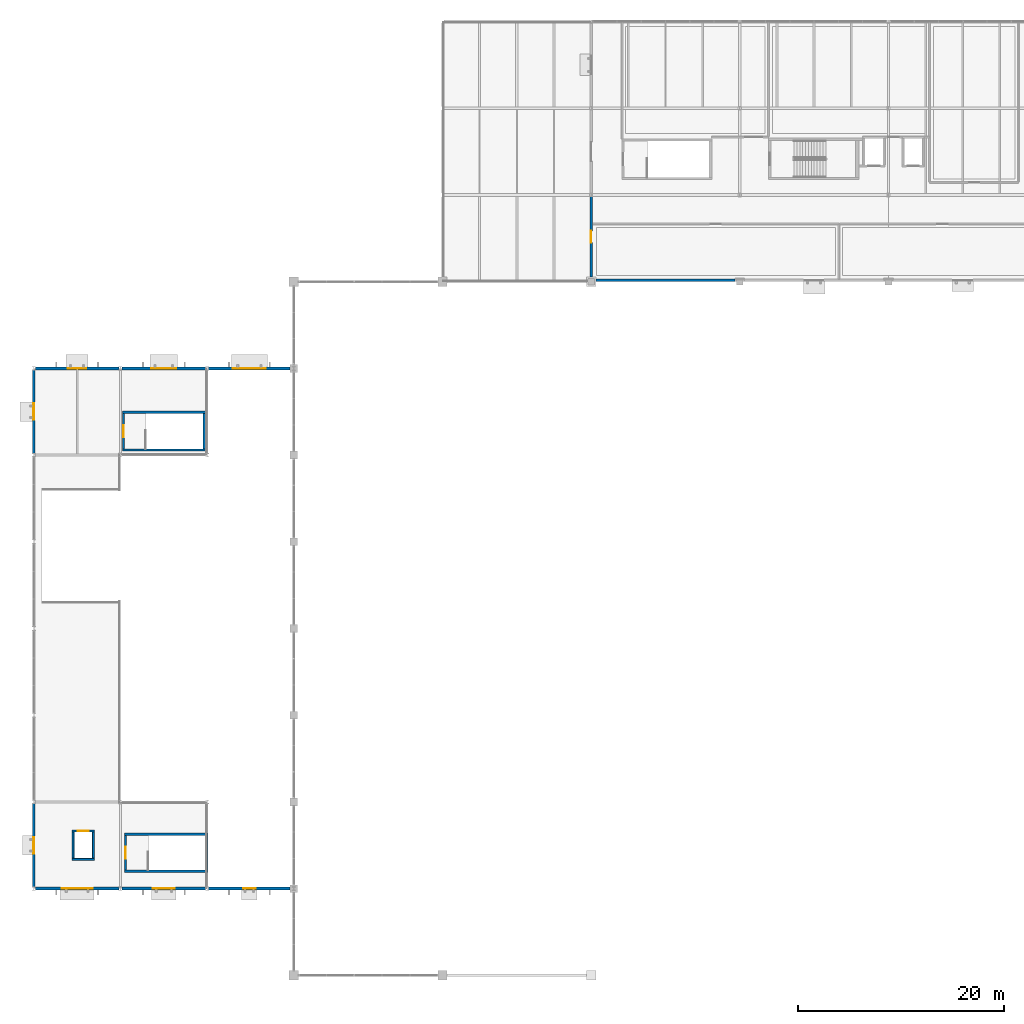
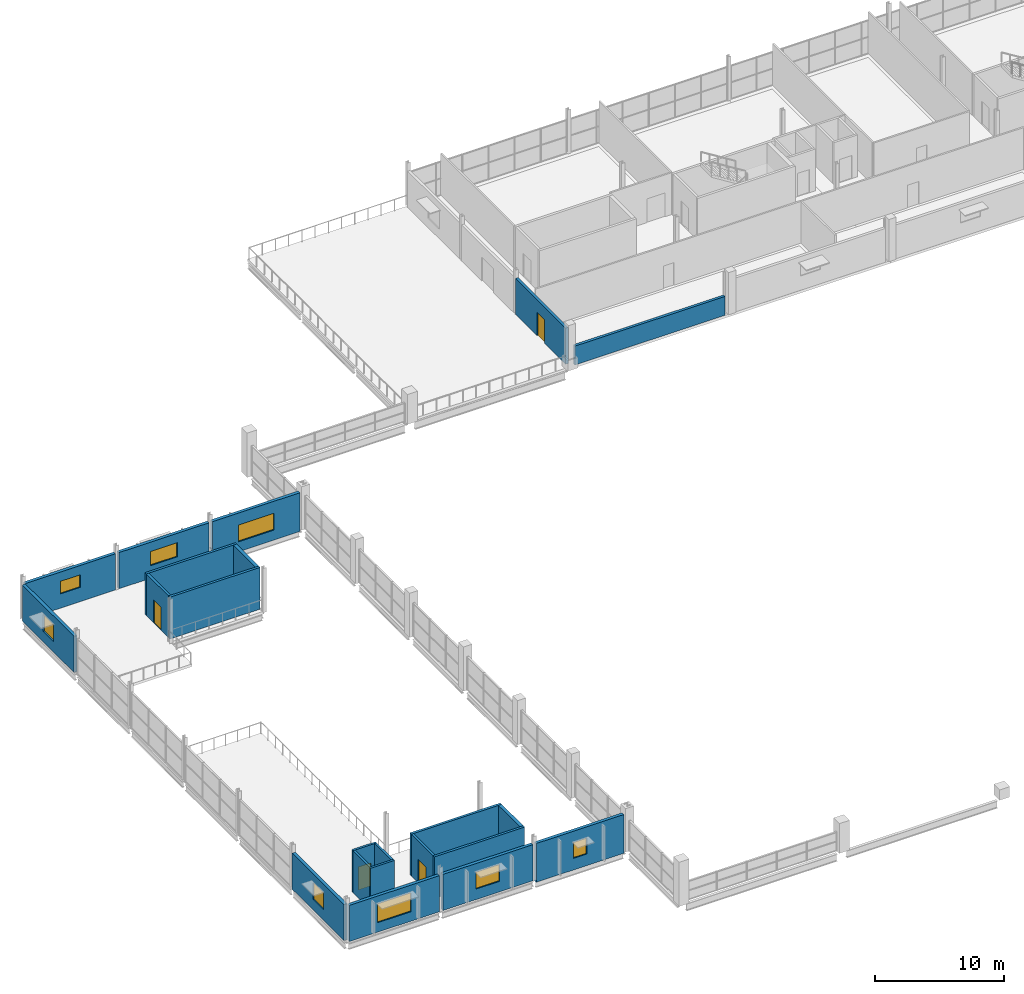
# One storey, part 57 of 68: 22 walls, 8 windows, 4 doors, 12 openings.
"""IFC4 building model written with IfcOpenShell, lengths in metres."""

from ifc_helpers import new_model, si_unit, direction, frame, frame_2d, origin, place, context, subcontext, project, spatial, rectangle, extrude, material, layer, layer_set, type_object, element, fill, save


model = new_model("IFC4")

# Units and contexts
model_context = context("Model", 3, precision=1e-05, world=origin(), true_north=direction((0.0, 1.0)))
body_context = subcontext(model_context, "Body", "Model", "MODEL_VIEW")
ifc_project = project(units=[si_unit("LENGTHUNIT", "METRE"), si_unit("AREAUNIT", "SQUARE_METRE"), si_unit("VOLUMEUNIT", "CUBIC_METRE"), si_unit("PLANEANGLEUNIT", "RADIAN"), si_unit("MASSUNIT", "GRAM", prefix="KILO"), si_unit("THERMODYNAMICTEMPERATUREUNIT", "KELVIN")], contexts=[model_context])

# Site, building, storey
site_placement = place(None, origin())
site = spatial("IfcSite", under=ifc_project, at=site_placement, CompositionType="ELEMENT")
building_placement = place(site_placement, origin())
building = spatial("IfcBuilding", under=site, at=building_placement, Name="Nduvali Passage Aquatics Centre", CompositionType="ELEMENT")
storey_placement = place(building_placement, frame((0.0, 0.0, 13.199951171875)))
storey = spatial("IfcBuildingStorey", under=building, at=storey_placement, Name="L03", CompositionType="ELEMENT", Elevation=13.199951171875)

# Wall, opening, window
ifc_material_1 = material(Name="Coral-stone masonry blockwork", Category="masonry")
ifc_layer_1 = layer(ifc_material_1, 0.280029296875, Name="Coral-stone masonry blockwork")
ifc_layer_set_1 = layer_set([ifc_layer_1], Name="Coral-stone masonry blockwork")
wall_type_1 = type_object("IfcWallType", Name="ENV-WAL-CORAL280", PredefinedType="STANDARD", material=ifc_layer_set_1)
wall_1_placement = place(storey_placement, frame((0.14990234375, 33.60009765625, 0.0), z_axis=(0.0, 0.0, 1.0), x_axis=(1.0, 0.0, 0.0)))
wall_1 = element("IfcWall", 1, at=wall_1_placement, inside=storey, type_object=wall_type_1, Name="L03 Diving South Facade 0033", PredefinedType="STANDARD", context=body_context, shape_type="SweptSolid", body=[
    extrude(rectangle(XDim=8.10009765625, YDim=0.280029296875, at=frame_2d((4.050048828125, 0.0))), origin(), (0.0, 0.0, 1.0), 3.43310546875),
])
opening_1_placement = place(wall_1_placement, frame((2.550048828125, 0.0, 0.89990234375)))
opening_1 = element("IfcOpeningElement", 2, at=opening_1_placement, cuts=wall_1, Name="Opening W4", PredefinedType="OPENING", context=body_context, shape_type="SweptSolid", body=[
    extrude(rectangle(XDim=3.0, YDim=1.800048828125, at=frame_2d((1.5, 0.89990234375))), frame((0.0, 0.15478515625, 0.0), z_axis=(0.0, -1.0, 0.0), x_axis=(1.0, 0.0, 0.0)), (0.0, 0.0, 1.0), 0.309814453125),
])
ifc_material_2 = material(Name="Aluminium-framed solar-control low-E IGU", Category="aluminium")
window_type_1 = type_object("IfcWindowType", Name="ENV-WIN-W4", PartitioningType="SINGLE_PANEL", PredefinedType="WINDOW", material=ifc_material_2)
window_1_placement = place(opening_1_placement, origin())
window_1 = element("IfcWindow", 3, at=window_1_placement, inside=storey, type_object=window_type_1, Name="L03 Exterior Window W4-0040", OverallHeight=1.800048828125, OverallWidth=3.0, PartitioningType="SINGLE_PANEL", PredefinedType="WINDOW", context=body_context, shape_type="SweptSolid", body=[
    extrude(rectangle(XDim=3.0, YDim=1.800048828125, at=frame_2d((1.5, 0.89990234375))), frame((0.0, 0.030029296875, 0.0), z_axis=(0.0, -1.0, 0.0), x_axis=(1.0, 0.0, 0.0)), (0.0, 0.0, 1.0), 0.06005859375),
])
fill(opening_1, window_1)

wall_2_placement = place(storey_placement, frame((8.25, 84.0, 0.0), z_axis=(0.0, 0.0, 1.0), x_axis=(-1.0, 0.0, 0.0)))
wall_2 = element("IfcWall", 4, at=wall_2_placement, inside=storey, type_object=wall_type_1, Name="L03 Diving North Facade 0034", PredefinedType="STANDARD", context=body_context, shape_type="SweptSolid", body=[
    extrude(rectangle(XDim=8.10009765625, YDim=0.280029296875, at=frame_2d((4.050048828125, 0.0))), origin(), (0.0, 0.0, 1.0), 3.43310546875),
])
opening_2_placement = place(wall_2_placement, frame((3.14990234375, 0.0, 1.35009765625)))
opening_2 = element("IfcOpeningElement", 5, at=opening_2_placement, cuts=wall_2, Name="Opening W8", PredefinedType="OPENING", context=body_context, shape_type="SweptSolid", body=[
    extrude(rectangle(XDim=1.800048828125, YDim=1.199951171875, at=frame_2d((0.89990234375, 0.60009765625))), frame((0.0, 0.15478515625, 0.0), z_axis=(0.0, -1.0, 0.0), x_axis=(1.0, 0.0, 0.0)), (0.0, 0.0, 1.0), 0.309814453125),
])
window_type_2 = type_object("IfcWindowType", Name="ENV-WIN-W8", PartitioningType="SINGLE_PANEL", PredefinedType="WINDOW", material=ifc_material_2)
window_2_placement = place(opening_2_placement, origin())
window_2 = element("IfcWindow", 6, at=window_2_placement, inside=storey, type_object=window_type_2, Name="L03 Exterior Window W8-0041", OverallHeight=1.199951171875, OverallWidth=1.800048828125, PartitioningType="SINGLE_PANEL", PredefinedType="WINDOW", context=body_context, shape_type="SweptSolid", body=[
    extrude(rectangle(XDim=1.800048828125, YDim=1.199951171875, at=frame_2d((0.89990234375, 0.60009765625))), frame((0.0, 0.030029296875, 0.0), z_axis=(0.0, -1.0, 0.0), x_axis=(1.0, 0.0, 0.0)), (0.0, 0.0, 1.0), 0.06005859375),
])
fill(opening_2, window_2)

wall_3_placement = place(storey_placement, frame((8.550048828125, 33.60009765625, 0.0), z_axis=(0.0, 0.0, 1.0), x_axis=(1.0, 0.0, 0.0)))
wall_3 = element("IfcWall", 7, at=wall_3_placement, inside=storey, type_object=wall_type_1, Name="L03 Diving South Facade 0035", PredefinedType="STANDARD", context=body_context, shape_type="SweptSolid", body=[
    extrude(rectangle(XDim=8.099853515625, YDim=0.280029296875, at=frame_2d((4.0498046875, 0.0))), origin(), (0.0, 0.0, 1.0), 3.43310546875),
])
opening_3_placement = place(wall_3_placement, frame((3.0, 0.0, 1.0)))
opening_3 = element("IfcOpeningElement", 8, at=opening_3_placement, cuts=wall_3, Name="Opening W5", PredefinedType="OPENING", context=body_context, shape_type="SweptSolid", body=[
    extrude(rectangle(XDim=2.10009765625, YDim=1.60009765625, at=frame_2d((1.050048828125, 0.800048828125))), frame((0.0, 0.15478515625, 0.0), z_axis=(0.0, -1.0, 0.0), x_axis=(1.0, 0.0, 0.0)), (0.0, 0.0, 1.0), 0.309814453125),
])
window_type_3 = type_object("IfcWindowType", Name="ENV-WIN-W5", PartitioningType="SINGLE_PANEL", PredefinedType="WINDOW", material=ifc_material_2)
window_3_placement = place(opening_3_placement, origin())
window_3 = element("IfcWindow", 9, at=window_3_placement, inside=storey, type_object=window_type_3, Name="L03 Exterior Window W5-0042", OverallHeight=1.60009765625, OverallWidth=2.10009765625, PartitioningType="SINGLE_PANEL", PredefinedType="WINDOW", context=body_context, shape_type="SweptSolid", body=[
    extrude(rectangle(XDim=2.10009765625, YDim=1.60009765625, at=frame_2d((1.050048828125, 0.800048828125))), frame((0.0, 0.030029296875, 0.0), z_axis=(0.0, -1.0, 0.0), x_axis=(1.0, 0.0, 0.0)), (0.0, 0.0, 1.0), 0.06005859375),
])
fill(opening_3, window_3)

wall_4_placement = place(storey_placement, frame((16.64990234375, 84.0, 0.0), z_axis=(0.0, 0.0, 1.0), x_axis=(-1.0, 0.0, 0.0)))
wall_4 = element("IfcWall", 10, at=wall_4_placement, inside=storey, type_object=wall_type_1, Name="L03 Diving North Facade 0036", PredefinedType="STANDARD", context=body_context, shape_type="SweptSolid", body=[
    extrude(rectangle(XDim=8.099853515625, YDim=0.280029296875, at=frame_2d((4.0498046875, 0.0))), origin(), (0.0, 0.0, 1.0), 3.43310546875),
])
opening_4_placement = place(wall_4_placement, frame((2.85009765625, 0.0, 1.199951171875)))
opening_4 = element("IfcOpeningElement", 11, at=opening_4_placement, cuts=wall_4, Name="Opening W9", PredefinedType="OPENING", context=body_context, shape_type="SweptSolid", body=[
    extrude(rectangle(XDim=2.39990234375, YDim=1.35009765625, at=frame_2d((1.199951171875, 0.675048828125))), frame((0.0, 0.15478515625, 0.0), z_axis=(0.0, -1.0, 0.0), x_axis=(1.0, 0.0, 0.0)), (0.0, 0.0, 1.0), 0.309814453125),
])
window_type_4 = type_object("IfcWindowType", Name="ENV-WIN-W9", PartitioningType="SINGLE_PANEL", PredefinedType="WINDOW", material=ifc_material_2)
window_4_placement = place(opening_4_placement, origin())
window_4 = element("IfcWindow", 12, at=window_4_placement, inside=storey, type_object=window_type_4, Name="L03 Exterior Window W9-0043", OverallHeight=1.35009765625, OverallWidth=2.39990234375, PartitioningType="SINGLE_PANEL", PredefinedType="WINDOW", context=body_context, shape_type="SweptSolid", body=[
    extrude(rectangle(XDim=2.39990234375, YDim=1.35009765625, at=frame_2d((1.199951171875, 0.675048828125))), frame((0.0, 0.030029296875, 0.0), z_axis=(0.0, -1.0, 0.0), x_axis=(1.0, 0.0, 0.0)), (0.0, 0.0, 1.0), 0.06005859375),
])
fill(opening_4, window_4)

wall_5_placement = place(storey_placement, frame((16.949951171875, 33.60009765625, -0.25), z_axis=(0.0, 0.0, 1.0), x_axis=(1.0, 0.0, 0.0)))
wall_5 = element("IfcWall", 13, at=wall_5_placement, inside=storey, type_object=wall_type_1, Name="L03 Diving South Facade 0037", PredefinedType="STANDARD", context=body_context, shape_type="SweptSolid", body=[
    extrude(rectangle(XDim=7.875, YDim=0.280029296875, at=frame_2d((3.9375, 0.0))), origin(), (0.0, 0.0, 1.0), 3.68310546875),
])
opening_5_placement = place(wall_5_placement, frame((3.3369140625, 0.0, 1.10009765625)))
opening_5 = element("IfcOpeningElement", 14, at=opening_5_placement, cuts=wall_5, Name="Opening W6", PredefinedType="OPENING", context=body_context, shape_type="SweptSolid", body=[
    extrude(rectangle(XDim=1.199951171875, YDim=1.5, at=frame_2d((0.60009765625, 0.75))), frame((0.0, 0.15478515625, 0.0), z_axis=(0.0, -1.0, 0.0), x_axis=(1.0, 0.0, 0.0)), (0.0, 0.0, 1.0), 0.309814453125),
])
window_type_5 = type_object("IfcWindowType", Name="ENV-WIN-W6", PartitioningType="SINGLE_PANEL", PredefinedType="WINDOW", material=ifc_material_2)
window_5_placement = place(opening_5_placement, origin())
window_5 = element("IfcWindow", 15, at=window_5_placement, inside=storey, type_object=window_type_5, Name="L03 Exterior Window W6-0044", OverallHeight=1.5, OverallWidth=1.199951171875, PartitioningType="SINGLE_PANEL", PredefinedType="WINDOW", context=body_context, shape_type="SweptSolid", body=[
    extrude(rectangle(XDim=1.199951171875, YDim=1.5, at=frame_2d((0.60009765625, 0.75))), frame((0.0, 0.030029296875, 0.0), z_axis=(0.0, -1.0, 0.0), x_axis=(1.0, 0.0, 0.0)), (0.0, 0.0, 1.0), 0.06005859375),
])
fill(opening_5, window_5)

wall_6_placement = place(storey_placement, frame((24.824951171875, 84.0, -0.25), z_axis=(0.0, 0.0, 1.0), x_axis=(-1.0, 0.0, 0.0)))
wall_6 = element("IfcWall", 16, at=wall_6_placement, inside=storey, type_object=wall_type_1, Name="L03 Diving North Facade 0038", PredefinedType="STANDARD", context=body_context, shape_type="SweptSolid", body=[
    extrude(rectangle(XDim=7.875, YDim=0.280029296875, at=frame_2d((3.9375, 0.0))), origin(), (0.0, 0.0, 1.0), 3.68310546875),
])
opening_6_placement = place(wall_6_placement, frame((2.3369140625, 0.0, 0.949951171875)))
opening_6 = element("IfcOpeningElement", 17, at=opening_6_placement, cuts=wall_6, Name="Opening W10", PredefinedType="OPENING", context=body_context, shape_type="SweptSolid", body=[
    extrude(rectangle(XDim=3.199951171875, YDim=1.60009765625, at=frame_2d((1.60009765625, 0.800048828125))), frame((0.0, 0.15478515625, 0.0), z_axis=(0.0, -1.0, 0.0), x_axis=(1.0, 0.0, 0.0)), (0.0, 0.0, 1.0), 0.309814453125),
])
window_type_6 = type_object("IfcWindowType", Name="ENV-WIN-W10", PartitioningType="SINGLE_PANEL", PredefinedType="WINDOW", material=ifc_material_2)
window_6_placement = place(opening_6_placement, origin())
window_6 = element("IfcWindow", 18, at=window_6_placement, inside=storey, type_object=window_type_6, Name="L03 Exterior Window W10-0045", OverallHeight=1.60009765625, OverallWidth=3.199951171875, PartitioningType="SINGLE_PANEL", PredefinedType="WINDOW", context=body_context, shape_type="SweptSolid", body=[
    extrude(rectangle(XDim=3.199951171875, YDim=1.60009765625, at=frame_2d((1.60009765625, 0.800048828125))), frame((0.0, 0.030029296875, 0.0), z_axis=(0.0, -1.0, 0.0), x_axis=(1.0, 0.0, 0.0)), (0.0, 0.0, 1.0), 0.06005859375),
])
fill(opening_6, window_6)

wall_7_placement = place(storey_placement, frame((0.0, 41.830078125, 0.0), z_axis=(0.0, 0.0, 1.0), x_axis=(0.0, -1.0, 0.0)))
wall_7 = element("IfcWall", 19, at=wall_7_placement, inside=storey, type_object=wall_type_1, Name="L03 Diving West Facade 0039", PredefinedType="STANDARD", context=body_context, shape_type="SweptSolid", body=[
    extrude(rectangle(XDim=8.06005859375, YDim=0.280029296875, at=frame_2d((4.030029296875, 0.0))), origin(), (0.0, 0.0, 1.0), 3.4267578125),
])
opening_7_placement = place(wall_7_placement, frame((3.22998046875, 0.0, 1.0)))
opening_7 = element("IfcOpeningElement", 20, at=opening_7_placement, cuts=wall_7, Name="Opening W11", PredefinedType="OPENING", context=body_context, shape_type="SweptSolid", body=[
    extrude(rectangle(XDim=1.60009765625, YDim=1.60009765625, at=frame_2d((0.800048828125, 0.800048828125))), frame((0.0, 0.15478515625, 0.0), z_axis=(0.0, -1.0, 0.0), x_axis=(1.0, 0.0, 0.0)), (0.0, 0.0, 1.0), 0.309814453125),
])
window_type_7 = type_object("IfcWindowType", Name="ENV-WIN-W11", PartitioningType="SINGLE_PANEL", PredefinedType="WINDOW", material=ifc_material_2)
window_7_placement = place(opening_7_placement, origin())
window_7 = element("IfcWindow", 21, at=window_7_placement, inside=storey, type_object=window_type_7, Name="L03 Exterior Window W11-0046", OverallHeight=1.60009765625, OverallWidth=1.60009765625, PartitioningType="SINGLE_PANEL", PredefinedType="WINDOW", context=body_context, shape_type="SweptSolid", body=[
    extrude(rectangle(XDim=1.60009765625, YDim=1.60009765625, at=frame_2d((0.800048828125, 0.800048828125))), frame((0.0, 0.030029296875, 0.0), z_axis=(0.0, -1.0, 0.0), x_axis=(1.0, 0.0, 0.0)), (0.0, 0.0, 1.0), 0.06005859375),
])
fill(opening_7, window_7)

wall_8_placement = place(storey_placement, frame((0.0, 83.830078125, 0.0), z_axis=(0.0, 0.0, 1.0), x_axis=(0.0, -1.0, 0.0)))
wall_8 = element("IfcWall", 22, at=wall_8_placement, inside=storey, type_object=wall_type_1, Name="L03 Diving West Facade 0040", PredefinedType="STANDARD", context=body_context, shape_type="SweptSolid", body=[
    extrude(rectangle(XDim=8.06005859375, YDim=0.280029296875, at=frame_2d((4.030029296875, 0.0))), origin(), (0.0, 0.0, 1.0), 3.4267578125),
])
opening_8_placement = place(wall_8_placement, frame((3.22998046875, 0.0, 1.0)))
opening_8 = element("IfcOpeningElement", 23, at=opening_8_placement, cuts=wall_8, Name="Opening W11", PredefinedType="OPENING", context=body_context, shape_type="SweptSolid", body=[
    extrude(rectangle(XDim=1.60009765625, YDim=1.60009765625, at=frame_2d((0.800048828125, 0.800048828125))), frame((0.0, 0.15478515625, 0.0), z_axis=(0.0, -1.0, 0.0), x_axis=(1.0, 0.0, 0.0)), (0.0, 0.0, 1.0), 0.309814453125),
])
window_8_placement = place(opening_8_placement, origin())
window_8 = element("IfcWindow", 24, at=window_8_placement, inside=storey, type_object=window_type_7, Name="L03 Exterior Window W11-0047", OverallHeight=1.60009765625, OverallWidth=1.60009765625, PartitioningType="SINGLE_PANEL", PredefinedType="WINDOW", context=body_context, shape_type="SweptSolid", body=[
    extrude(rectangle(XDim=1.60009765625, YDim=1.60009765625, at=frame_2d((0.800048828125, 0.800048828125))), frame((0.0, 0.030029296875, 0.0), z_axis=(0.0, -1.0, 0.0), x_axis=(1.0, 0.0, 0.0)), (0.0, 0.0, 1.0), 0.06005859375),
])
fill(opening_8, window_8)

# Wall, opening, door
ifc_material_3 = material(Name="Precast concrete C40/50", Category="concrete")
ifc_layer_2 = layer(ifc_material_3, 0.239990234375, Name="Precast concrete C40/50")
ifc_layer_set_2 = layer_set([ifc_layer_2], Name="Precast concrete C40/50")
wall_type_2 = type_object("IfcWallType", Name="ENV-WAL-SPAND240", PredefinedType="STANDARD", material=ifc_layer_set_2)
wall_9_placement = place(storey_placement, frame((54.0, 100.64990234375, 0.0), z_axis=(0.0, 0.0, 1.0), x_axis=(0.0, -1.0, 0.0)))
wall_9 = element("IfcWall", 25, at=wall_9_placement, inside=storey, type_object=wall_type_2, Name="L03 North Wing West Stepped Facade 0072", PredefinedType="STANDARD", context=body_context, shape_type="SweptSolid", body=[
    extrude(rectangle(XDim=7.7998046875, YDim=0.239990234375, at=frame_2d((3.89990234375, 0.0))), origin(), (0.0, 0.0, 1.0), 3.4267578125),
])
opening_9_placement = place(wall_9_placement, frame((3.324951171875, 0.0, 0.0)))
opening_9 = element("IfcOpeningElement", 26, at=opening_9_placement, cuts=wall_9, Name="Opening TD-EXT2", PredefinedType="OPENING", context=body_context, shape_type="SweptSolid", body=[
    extrude(rectangle(XDim=1.14990234375, YDim=2.25, at=frame_2d((0.574951171875, 1.125))), frame((0.0, 0.134765625, 0.0), z_axis=(0.0, -1.0, 0.0), x_axis=(1.0, 0.0, 0.0)), (0.0, 0.0, 1.0), 0.269775390625),
])
ifc_material_4 = material(Name="Aluminium-framed glazed door", Category="aluminium")
door_type_1 = type_object("IfcDoorType", Name="ENV-DR-TER110", OperationType="NOTDEFINED", PredefinedType="DOOR", material=ifc_material_4)
door_1_placement = place(opening_9_placement, frame((1.14990234375, 0.0, 0.0), z_axis=(0.0, 0.0, 1.0), x_axis=(-1.0, 0.0, 0.0)))
door_1 = element("IfcDoor", 27, at=door_1_placement, inside=storey, type_object=door_type_1, Name="L03 Exterior Exit Door TD-EXT2-021", OperationType="SINGLE_SWING_RIGHT", OverallHeight=2.25, OverallWidth=1.14990234375, PredefinedType="DOOR", context=body_context, shape_type="SweptSolid", body=[
    extrude(rectangle(XDim=1.14990234375, YDim=2.25, at=frame_2d((0.574951171875, 1.125))), frame((0.0, 0.02490234375, 0.0), z_axis=(0.0, -1.0, 0.0), x_axis=(1.0, 0.0, 0.0)), (0.0, 0.0, 1.0), 0.050048828125),
])
fill(opening_9, door_1)

# Walls
wall_10_placement = place(storey_placement, frame((54.449951171875, 92.530029296875, 0.0), z_axis=(0.0, 0.0, 1.0), x_axis=(1.0, 0.0, 0.0)))
element("IfcWall", 28, at=wall_10_placement, inside=storey, type_object=wall_type_2, Name="L03 North Wing South High Overlook Wall 0075", PredefinedType="STANDARD", context=body_context, shape_type="SweptSolid", body=[
    extrude(rectangle(XDim=13.5, YDim=0.239990234375, at=frame_2d((6.75, 0.0))), origin(), (0.0, 0.0, 1.0), 1.7900390625),
])
ifc_material_5 = material(Name="Concrete C40/50", Category="concrete")
ifc_layer_3 = layer(ifc_material_5, 0.219970703125, Name="Concrete C40/50")
ifc_layer_set_3 = layer_set([ifc_layer_3], Name="Concrete C40/50")
wall_type_3 = type_object("IfcWallType", Name="INT-WAL-CORE220", PredefinedType="SOLIDWALL", material=ifc_layer_set_3)
for number, where, z_axis, x_axis, name in (
    (29, (8.780029296875, 35.2900390625, 0.0), (0.0, 0.0, 1.0), (1.0, 0.0, 0.0), "L03 Stair ST9 Core Wall S"),
    (30, (16.89990234375, 38.860107421875, 0.0), (0.0, 0.0, 1.0), (-1.0, 0.0, 0.0), "L03 Stair ST9 Core Wall N"),
):
    element("IfcWall", number, at=place(storey_placement, frame(where, z_axis=z_axis, x_axis=x_axis)), inside=storey, type_object=wall_type_3, Name=name, PredefinedType="SOLIDWALL", context=body_context, shape_type="SweptSolid", body=[
        extrude(rectangle(XDim=8.119873046875, YDim=0.219970703125, at=frame_2d((4.06005859375, 0.0))), origin(), (0.0, 0.0, 1.0), 3.969970703125),
    ])

# Wall, opening, door
wall_11_placement = place(storey_placement, frame((8.889892578125, 38.75, 0.0), z_axis=(0.0, 0.0, 1.0), x_axis=(0.0, -1.0, 0.0)))
wall_11 = element("IfcWall", 31, at=wall_11_placement, inside=storey, type_object=wall_type_3, Name="L03 Stair ST9 Core Wall W", PredefinedType="SOLIDWALL", context=body_context, shape_type="SweptSolid", body=[
    extrude(rectangle(XDim=3.35009765625, YDim=0.219970703125, at=frame_2d((1.675048828125, 0.0))), origin(), (0.0, 0.0, 1.0), 3.969970703125),
])
opening_10_placement = place(wall_11_placement, frame((1.074951171875, 0.0, 0.0)))
opening_10 = element("IfcOpeningElement", 32, at=opening_10_placement, cuts=wall_11, Name="Opening FD-ST2", PredefinedType="OPENING", context=body_context, shape_type="SweptSolid", body=[
    extrude(rectangle(XDim=1.199951171875, YDim=2.199951171875, at=frame_2d((0.60009765625, 1.10009765625))), frame((0.0, 0.125, 0.0), z_axis=(0.0, -1.0, 0.0), x_axis=(1.0, 0.0, 0.0)), (0.0, 0.0, 1.0), 0.249755859375),
])
ifc_material_6 = material(Name="Galvanised steel door", Category="steel")
door_type_2 = type_object("IfcDoorType", Name="INT-DR-ST120", OperationType="NOTDEFINED", PredefinedType="DOOR", material=ifc_material_6)
door_2_placement = place(opening_10_placement, frame((1.199951171875, 0.0, 0.0), z_axis=(0.0, 0.0, 1.0), x_axis=(-1.0, 0.0, 0.0)))
door_2 = element("IfcDoor", 33, at=door_2_placement, inside=storey, type_object=door_type_2, Name="L03 Stair ST9 Fire Lobby Door", OperationType="SINGLE_SWING_LEFT", OverallHeight=2.199951171875, OverallWidth=1.199951171875, PredefinedType="DOOR", context=body_context, shape_type="SweptSolid", body=[
    extrude(rectangle(XDim=1.199951171875, YDim=2.199951171875, at=frame_2d((0.60009765625, 1.10009765625))), frame((0.0, 0.02490234375, 0.0), z_axis=(0.0, -1.0, 0.0), x_axis=(1.0, 0.0, 0.0)), (0.0, 0.0, 1.0), 0.050048828125),
])
fill(opening_10, door_2)

# Walls
for number, where, z_axis, x_axis, name in (
    (34, (8.580078125, 76.090087890625, 0.0), (0.0, 0.0, 1.0), (1.0, 0.0, 0.0), "L03 Stair ST12 Core Wall S"),
    (35, (16.699951171875, 79.739990234375, 0.0), (0.0, 0.0, 1.0), (-1.0, 0.0, 0.0), "L03 Stair ST12 Core Wall N"),
):
    element("IfcWall", number, at=place(storey_placement, frame(where, z_axis=z_axis, x_axis=x_axis)), inside=storey, type_object=wall_type_3, Name=name, PredefinedType="SOLIDWALL", context=body_context, shape_type="SweptSolid", body=[
        extrude(rectangle(XDim=8.119873046875, YDim=0.219970703125, at=frame_2d((4.06005859375, 0.0))), origin(), (0.0, 0.0, 1.0), 3.969970703125),
    ])

# Wall, opening, door
wall_12_placement = place(storey_placement, frame((8.68994140625, 79.6298828125, 0.0), z_axis=(0.0, 0.0, 1.0), x_axis=(0.0, -1.0, 0.0)))
wall_12 = element("IfcWall", 36, at=wall_12_placement, inside=storey, type_object=wall_type_3, Name="L03 Stair ST12 Core Wall W", PredefinedType="SOLIDWALL", context=body_context, shape_type="SweptSolid", body=[
    extrude(rectangle(XDim=3.429931640625, YDim=0.219970703125, at=frame_2d((1.71484375, 0.0))), origin(), (0.0, 0.0, 1.0), 3.969970703125),
])
opening_11_placement = place(wall_12_placement, frame((1.114990234375, 0.0, 0.0)))
opening_11 = element("IfcOpeningElement", 37, at=opening_11_placement, cuts=wall_12, Name="Opening FD-ST2", PredefinedType="OPENING", context=body_context, shape_type="SweptSolid", body=[
    extrude(rectangle(XDim=1.199951171875, YDim=2.199951171875, at=frame_2d((0.60009765625, 1.10009765625))), frame((0.0, 0.125, 0.0), z_axis=(0.0, -1.0, 0.0), x_axis=(1.0, 0.0, 0.0)), (0.0, 0.0, 1.0), 0.249755859375),
])
door_3_placement = place(opening_11_placement, frame((1.199951171875, 0.0, 0.0), z_axis=(0.0, 0.0, 1.0), x_axis=(-1.0, 0.0, 0.0)))
door_3 = element("IfcDoor", 38, at=door_3_placement, inside=storey, type_object=door_type_2, Name="L03 Stair ST12 Fire Lobby Door", OperationType="SINGLE_SWING_RIGHT", OverallHeight=2.199951171875, OverallWidth=1.199951171875, PredefinedType="DOOR", context=body_context, shape_type="SweptSolid", body=[
    extrude(rectangle(XDim=1.199951171875, YDim=2.199951171875, at=frame_2d((0.60009765625, 1.10009765625))), frame((0.0, 0.02490234375, 0.0), z_axis=(0.0, -1.0, 0.0), x_axis=(1.0, 0.0, 0.0)), (0.0, 0.0, 1.0), 0.050048828125),
])
fill(opening_11, door_3)

# Walls
ifc_layer_4 = layer(ifc_material_5, 0.18994140625, Name="Concrete C40/50")
ifc_layer_set_4 = layer_set([ifc_layer_4], Name="Concrete C40/50")
wall_type_4 = type_object("IfcWallType", Name="INT-WAL-SHAFT200", PredefinedType="SOLIDWALL", material=ifc_layer_set_4)
wall_13_placement = place(storey_placement, frame((3.72998046875, 36.425048828125, 0.0), z_axis=(0.0, 0.0, 1.0), x_axis=(1.0, 0.0, 0.0)))
element("IfcWall", 39, at=wall_13_placement, inside=storey, type_object=wall_type_4, Name="L03 Lift L5 Shaft Wall S", PredefinedType="SOLIDWALL", context=body_context, shape_type="SweptSolid", body=[
    extrude(rectangle(XDim=2.14013671875, YDim=0.18994140625, at=frame_2d((1.070068359375, 0.0))), origin(), (0.0, 0.0, 1.0), 3.969970703125),
])
wall_14_placement = place(storey_placement, frame((5.77490234375, 36.52001953125, 0.0), z_axis=(0.0, 0.0, 1.0), x_axis=(0.0, 1.0, 0.0)))
element("IfcWall", 40, at=wall_14_placement, inside=storey, type_object=wall_type_4, Name="L03 Lift L5 Shaft Wall E", PredefinedType="SOLIDWALL", context=body_context, shape_type="SweptSolid", body=[
    extrude(rectangle(XDim=2.56005859375, YDim=0.18994140625, at=frame_2d((1.280029296875, 0.0))), origin(), (0.0, 0.0, 1.0), 3.969970703125),
])

# Wall, opening, door
wall_15_placement = place(storey_placement, frame((5.8701171875, 39.175048828125, 0.0), z_axis=(0.0, 0.0, 1.0), x_axis=(-1.0, 0.0, 0.0)))
wall_15 = element("IfcWall", 41, at=wall_15_placement, inside=storey, type_object=wall_type_4, Name="L03 Lift L5 Shaft Wall N", PredefinedType="SOLIDWALL", context=body_context, shape_type="SweptSolid", body=[
    extrude(rectangle(XDim=2.14013671875, YDim=0.18994140625, at=frame_2d((1.070068359375, 0.0))), origin(), (0.0, 0.0, 1.0), 3.969970703125),
])
opening_12_placement = place(wall_15_placement, frame((0.52001953125, 0.0, 0.0)))
opening_12 = element("IfcOpeningElement", 42, at=opening_12_placement, cuts=wall_15, Name="Opening LD5", PredefinedType="OPENING", context=body_context, shape_type="SweptSolid", body=[
    extrude(rectangle(XDim=1.10009765625, YDim=2.199951171875, at=frame_2d((0.550048828125, 1.10009765625))), frame((0.0, 0.10986328125, 0.0), z_axis=(0.0, -1.0, 0.0), x_axis=(1.0, 0.0, 0.0)), (0.0, 0.0, 1.0), 0.2197265625),
])
ifc_material_7 = material(Name="Stainless steel landing door", Category="steel")
door_type_3 = type_object("IfcDoorType", Name="INT-DR-LD5", OperationType="DOUBLE_DOOR_SLIDING", PredefinedType="DOOR", material=ifc_material_7)
door_4_placement = place(opening_12_placement, origin())
door_4 = element("IfcDoor", 43, at=door_4_placement, inside=storey, type_object=door_type_3, Name="L03 Lift L5 Sliding Landing Door LD5", OperationType="DOUBLE_DOOR_SLIDING", OverallHeight=2.199951171875, OverallWidth=1.10009765625, PredefinedType="DOOR", context=body_context, shape_type="SweptSolid", body=[
    extrude(rectangle(XDim=1.10009765625, YDim=2.199951171875, at=frame_2d((0.550048828125, 1.10009765625))), frame((0.0, 0.02490234375, 0.0), z_axis=(0.0, -1.0, 0.0), x_axis=(1.0, 0.0, 0.0)), (0.0, 0.0, 1.0), 0.050048828125),
])
fill(opening_12, door_4)

# Walls
wall_16_placement = place(storey_placement, frame((3.824951171875, 39.080078125, 0.0), z_axis=(0.0, 0.0, 1.0), x_axis=(0.0, -1.0, 0.0)))
element("IfcWall", 44, at=wall_16_placement, inside=storey, type_object=wall_type_4, Name="L03 Lift L5 Shaft Wall W", PredefinedType="SOLIDWALL", context=body_context, shape_type="SweptSolid", body=[
    extrude(rectangle(XDim=2.56005859375, YDim=0.18994140625, at=frame_2d((1.280029296875, 0.0))), origin(), (0.0, 0.0, 1.0), 3.969970703125),
])
ifc_layer_5 = layer(ifc_material_5, 0.300048828125, Name="Concrete C40/50")
ifc_layer_set_5 = layer_set([ifc_layer_5], Name="Concrete C40/50")
wall_type_5 = type_object("IfcWallType", Name="STR-WAL-SHR300", PredefinedType="SHEAR", material=ifc_layer_set_5)
wall_17_placement = place(storey_placement, frame((16.75, 35.39990234375, 0.0), z_axis=(0.0, 0.0, 1.0), x_axis=(0.0, 1.0, 0.0)))
element("IfcWall", 45, at=wall_17_placement, inside=storey, type_object=wall_type_5, Name="L03 Stair ST9 Core Shear Wall E", PredefinedType="SHEAR", context=body_context, shape_type="SweptSolid", body=[
    extrude(rectangle(XDim=3.35009765625, YDim=0.300048828125, at=frame_2d((1.675048828125, 0.0))), origin(), (0.0, 0.0, 1.0), 3.969970703125),
])
wall_18_placement = place(storey_placement, frame((16.550048828125, 76.199951171875, 0.0), z_axis=(0.0, 0.0, 1.0), x_axis=(0.0, 1.0, 0.0)))
element("IfcWall", 46, at=wall_18_placement, inside=storey, type_object=wall_type_5, Name="L03 Stair ST12 Core Shear Wall E", PredefinedType="SHEAR", context=body_context, shape_type="SweptSolid", body=[
    extrude(rectangle(XDim=3.429931640625, YDim=0.300048828125, at=frame_2d((1.71484375, 0.0))), origin(), (0.0, 0.0, 1.0), 3.969970703125),
])

save(model, "model.ifc")
